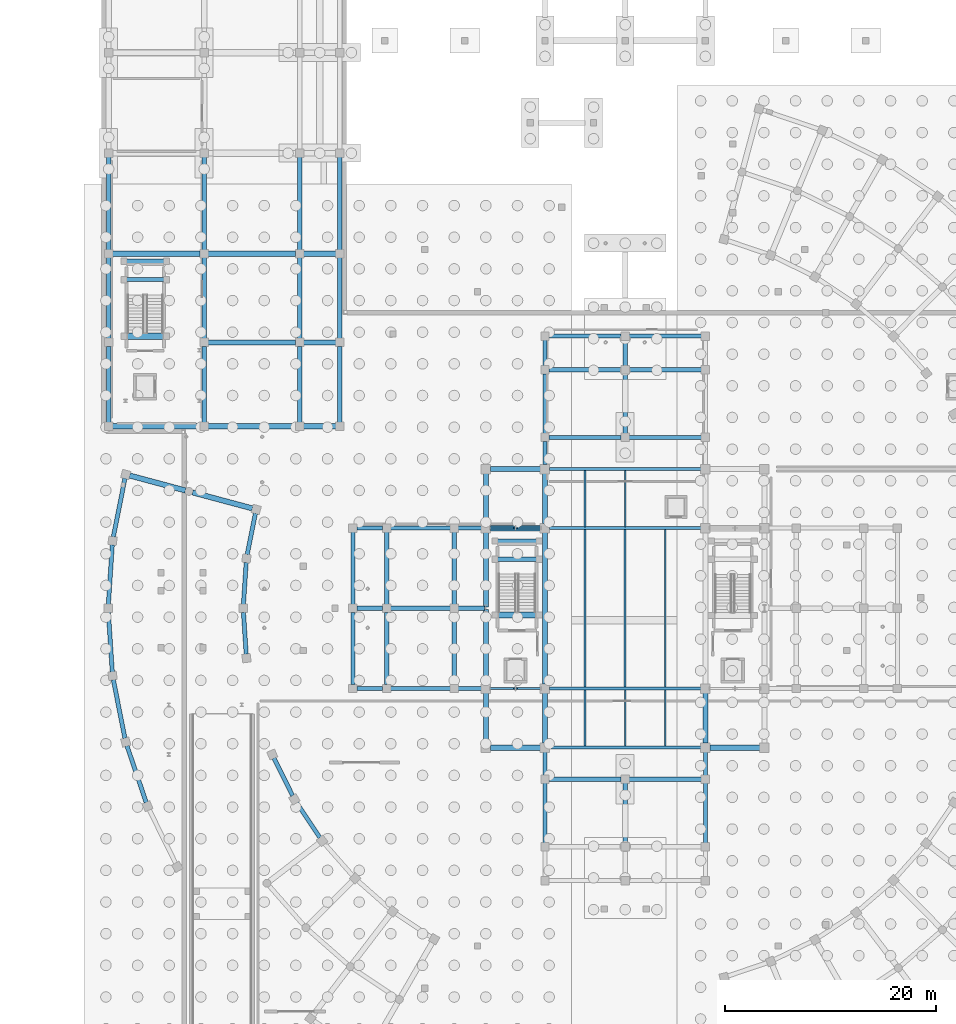
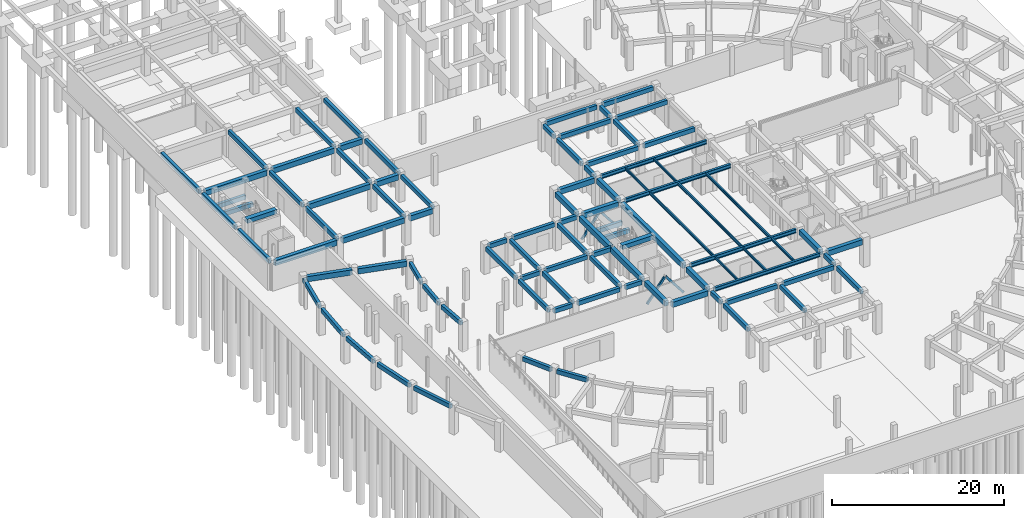
# One storey, part 19 of 33: 95 beams, 4 members.
"""IFC4 building model written with IfcOpenShell, lengths in metres."""

from ifc_helpers import new_model, si_unit, direction, frame, origin, origin_2d, place, context, subcontext, project, spatial, rectangle, hollow_rectangle, i_section, extrude, material, material_profile, profile_set, type_object, element, save


model = new_model("IFC4")

# Units and contexts
model_context = context("Model", 3, precision=1e-05, world=origin(), true_north=direction((0.0, 1.0)))
body_context = subcontext(model_context, "Body", "Model", "MODEL_VIEW")
ifc_project = project(units=[si_unit("LENGTHUNIT", "METRE"), si_unit("AREAUNIT", "SQUARE_METRE"), si_unit("VOLUMEUNIT", "CUBIC_METRE"), si_unit("PLANEANGLEUNIT", "RADIAN"), si_unit("MASSUNIT", "GRAM", prefix="KILO")], contexts=[model_context])

# Site, building, storey
site_placement = place(None, origin())
site = spatial("IfcSite", under=ifc_project, at=site_placement, CompositionType="ELEMENT")
building_placement = place(site_placement, origin())
building = spatial("IfcBuilding", under=site, at=building_placement, Name="Saryqyr Civic Hall", CompositionType="ELEMENT")
storey_placement = place(building_placement, frame((0.0, 0.0, -4.199951171875)))
storey = spatial("IfcBuildingStorey", under=building, at=storey_placement, Name="B1", CompositionType="ELEMENT", Elevation=-4.199951171875)

# Beams
ifc_material_1 = material(Name="Steel S355", Category="steel")
ifc_material_profile_1 = material_profile(ifc_material_1, i_section(OverallWidth=0.300048828125, OverallDepth=0.550048828125, WebThickness=0.014892578125, FlangeThickness=0.029052734375, at=origin_2d()), Name="HEB 550")
ifc_profile_set_1 = profile_set([ifc_material_profile_1], Name="Steel S355")
beam_type_1 = type_object("IfcBeamType", Name="STR-BM-HEB550", PredefinedType="BEAM", material=ifc_profile_set_1)
for number, where, z_axis, x_axis, name in (
    (1, (49.824951171875, 70.800048828125, 3.60498046875), (1.0, 0.0, 0.0), (0.0, 1.0, 0.0), "Beam V1-GBM-EW1-B1"),
    (2, (49.824951171875, 76.39990234375, 3.60498046875), (1.0, 0.0, 0.0), (0.0, 1.0, 0.0), "Beam V1-GBM-EW2-B1"),
    (3, (49.824951171875, 91.60009765625, 3.60498046875), (1.0, 0.0, 0.0), (0.0, 1.0, 0.0), "Beam V1-GBM-EW3-B1"),
    (4, (49.824951171875, 97.199951171875, 3.60498046875), (1.0, 0.0, 0.0), (0.0, 1.0, 0.0), "Beam V1-GBM-EW4-B1"),
):
    element("IfcBeam", number, at=place(storey_placement, frame(where, z_axis=z_axis, x_axis=x_axis)), inside=storey, type_object=beam_type_1, Name=name, PredefinedType="BEAM", context=body_context, shape_type="SweptSolid", body=[
        extrude(i_section(OverallWidth=0.300048828125, OverallDepth=0.550048828125, WebThickness=0.014892578125, FlangeThickness=0.029052734375, at=origin_2d()), origin(), (0.0, 0.0, 1.0), 14.35009765625),
    ])
ifc_material_2 = material(Name="Concrete C35/45", Category="concrete")
ifc_material_profile_2 = material_profile(ifc_material_2, rectangle(XDim=0.39990234375, YDim=0.60009765625, at=origin_2d()), Name="RC 400x600")
ifc_profile_set_2 = profile_set([ifc_material_profile_2], Name="Concrete C35/45")
beam_type_2 = type_object("IfcBeamType", Name="STR-BM-RC400x600", PredefinedType="BEAM", material=ifc_profile_set_2)
for number, where, z_axis, x_axis, name in (
    (5, (31.574951171875, 76.39990234375, 3.579833984375), (1.0, 0.0, 0.0), (0.0, 1.0, 0.0), "Beam V1-TBM-01-B1"),
    (6, (31.574951171875, 84.0, 3.579833984375), (1.0, 0.0, 0.0), (0.0, 1.0, 0.0), "Beam V1-TBM-02-B1"),
    (7, (31.574951171875, 91.60009765625, 3.579833984375), (1.0, 0.0, 0.0), (0.0, 1.0, 0.0), "Beam V1-TBM-03-B1"),
    (8, (49.39990234375, 106.97509765625, 3.579833984375), (0.0, 1.0, 0.0), (-1.0, 0.0, 0.0), "Beam V1-TBM-10-B1"),
    (9, (57.0, 106.97509765625, 3.579833984375), (0.0, 1.0, 0.0), (-1.0, 0.0, 0.0), "Beam V1-TBM-11-B1"),
):
    element("IfcBeam", number, at=place(storey_placement, frame(where, z_axis=z_axis, x_axis=x_axis)), inside=storey, type_object=beam_type_2, Name=name, PredefinedType="BEAM", context=body_context, shape_type="SweptSolid", body=[
        extrude(rectangle(XDim=0.39990234375, YDim=0.60009765625, at=origin_2d()), origin(), (0.0, 0.0, 1.0), 2.449951171875),
    ])
for number, where, z_axis, x_axis, name in (
    (10, (31.199951171875, 76.77490234375, 3.579833984375), (0.0, 1.0, 0.0), (-1.0, 0.0, 0.0), "Beam V1-TBM-13-B1"),
    (11, (31.199951171875, 84.375, 3.579833984375), (0.0, 1.0, 0.0), (-1.0, 0.0, 0.0), "Beam V1-TBM-14-B1"),
    (12, (49.77490234375, 109.800048828125, 3.579833984375), (1.0, 0.0, 0.0), (0.0, 1.0, 0.0), "Beam V1-TBM-19-B1"),
    (13, (57.375, 109.800048828125, 3.579833984375), (1.0, 0.0, 0.0), (0.0, 1.0, 0.0), "Beam V1-TBM-20-B1"),
):
    element("IfcBeam", number, at=place(storey_placement, frame(where, z_axis=z_axis, x_axis=x_axis)), inside=storey, type_object=beam_type_2, Name=name, PredefinedType="BEAM", context=body_context, shape_type="SweptSolid", body=[
        extrude(rectangle(XDim=0.39990234375, YDim=0.60009765625, at=origin_2d()), origin(), (0.0, 0.0, 1.0), 6.85009765625),
    ])
for number, where, z_axis, x_axis, name in (
    (14, (34.77490234375, 76.39990234375, 3.579833984375), (1.0, 0.0, 0.0), (0.0, 1.0, 0.0), "Beam V1-TBM-21-B1"),
    (15, (34.77490234375, 84.0, 3.579833984375), (1.0, 0.0, 0.0), (0.0, 1.0, 0.0), "Beam V1-TBM-22-B1"),
    (16, (34.77490234375, 91.60009765625, 3.579833984375), (1.0, 0.0, 0.0), (0.0, 1.0, 0.0), "Beam V1-TBM-23-B1"),
    (17, (49.39990234375, 61.77490234375, 3.579833984375), (0.0, 1.0, 0.0), (-1.0, 0.0, 0.0), "Beam V1-TBM-27-B1"),
    (18, (57.0, 61.77490234375, 3.579833984375), (0.0, 1.0, 0.0), (-1.0, 0.0, 0.0), "Beam V1-TBM-28-B1"),
    (19, (64.60009765625, 61.77490234375, 3.579833984375), (0.0, 1.0, 0.0), (-1.0, 0.0, 0.0), "Beam V1-TBM-29-B1"),
    (20, (49.39990234375, 100.574951171875, 3.579833984375), (0.0, 1.0, 0.0), (-1.0, 0.0, 0.0), "Beam V1-TBM-30-B1"),
    (21, (57.0, 100.574951171875, 3.579833984375), (0.0, 1.0, 0.0), (-1.0, 0.0, 0.0), "Beam V1-TBM-31-B1"),
):
    element("IfcBeam", number, at=place(storey_placement, frame(where, z_axis=z_axis, x_axis=x_axis)), inside=storey, type_object=beam_type_2, Name=name, PredefinedType="BEAM", context=body_context, shape_type="SweptSolid", body=[
        extrude(rectangle(XDim=0.39990234375, YDim=0.60009765625, at=origin_2d()), origin(), (0.0, 0.0, 1.0), 5.650146484375),
    ])
for number, where, z_axis, x_axis, name in (
    (22, (34.39990234375, 76.77490234375, 3.579833984375), (0.0, 1.0, 0.0), (-1.0, 0.0, 0.0), "Beam V1-TBM-33-B1"),
    (23, (34.39990234375, 84.375, 3.579833984375), (0.0, 1.0, 0.0), (-1.0, 0.0, 0.0), "Beam V1-TBM-34-B1"),
    (24, (49.77490234375, 106.60009765625, 3.579833984375), (1.0, 0.0, 0.0), (0.0, 1.0, 0.0), "Beam V1-TBM-39-B1"),
    (25, (57.375, 106.60009765625, 3.579833984375), (1.0, 0.0, 0.0), (0.0, 1.0, 0.0), "Beam V1-TBM-40-B1"),
):
    element("IfcBeam", number, at=place(storey_placement, frame(where, z_axis=z_axis, x_axis=x_axis)), inside=storey, type_object=beam_type_2, Name=name, PredefinedType="BEAM", context=body_context, shape_type="SweptSolid", body=[
        extrude(rectangle(XDim=0.39990234375, YDim=0.60009765625, at=origin_2d()), origin(), (0.0, 0.0, 1.0), 6.85009765625),
    ])
beam_1_placement = place(storey_placement, frame((41.175048828125, 76.39990234375, 3.579833984375), z_axis=(1.0, 0.0, 0.0), x_axis=(0.0, 1.0, 0.0)))
element("IfcBeam", 26, at=beam_1_placement, inside=storey, type_object=beam_type_2, Name="Beam V1-TBM-41-B1", PredefinedType="BEAM", context=body_context, shape_type="SweptSolid", body=[
    extrude(rectangle(XDim=0.39990234375, YDim=0.60009765625, at=origin_2d()), origin(), (0.0, 0.0, 1.0), 2.199951171875),
])
beam_2_placement = place(storey_placement, frame((41.175048828125, 84.0, 3.579833984375), z_axis=(1.0, 0.0, 0.0), x_axis=(0.0, 1.0, 0.0)))
element("IfcBeam", 27, at=beam_2_placement, inside=storey, type_object=beam_type_2, Name="Beam V1-TBM-42-B1", PredefinedType="BEAM", context=body_context, shape_type="SweptSolid", body=[
    extrude(rectangle(XDim=0.39990234375, YDim=0.60009765625, at=origin_2d()), origin(), (0.0, 0.0, 1.0), 2.5),
])
for number, where, z_axis, x_axis, name in (
    (28, (41.175048828125, 91.60009765625, 3.579833984375), (1.0, 0.0, 0.0), (0.0, 1.0, 0.0), "Beam V1-TBM-43-B1"),
    (29, (49.39990234375, 68.175048828125, 3.579833984375), (0.0, 1.0, 0.0), (-1.0, 0.0, 0.0), "Beam V1-TBM-47-B1"),
    (30, (64.60009765625, 68.175048828125, 3.579833984375), (0.0, 1.0, 0.0), (-1.0, 0.0, 0.0), "Beam V1-TBM-48-B1"),
    (31, (49.39990234375, 97.625, 3.579833984375), (0.0, 1.0, 0.0), (-1.0, 0.0, 0.0), "Beam V1-TBM-49-B1"),
):
    element("IfcBeam", number, at=place(storey_placement, frame(where, z_axis=z_axis, x_axis=x_axis)), inside=storey, type_object=beam_type_2, Name=name, PredefinedType="BEAM", context=body_context, shape_type="SweptSolid", body=[
        extrude(rectangle(XDim=0.39990234375, YDim=0.60009765625, at=origin_2d()), origin(), (0.0, 0.0, 1.0), 2.199951171875),
    ])
for number, where, z_axis, x_axis, name in (
    (32, (40.800048828125, 76.77490234375, 3.579833984375), (0.0, 1.0, 0.0), (-1.0, 0.0, 0.0), "Beam V1-TBM-51-B1"),
    (33, (40.800048828125, 84.375, 3.579833984375), (0.0, 1.0, 0.0), (-1.0, 0.0, 0.0), "Beam V1-TBM-52-B1"),
    (34, (49.77490234375, 67.800048828125, 3.579833984375), (1.0, 0.0, 0.0), (0.0, 1.0, 0.0), "Beam V1-TBM-55-B1"),
    (35, (57.375, 67.800048828125, 3.579833984375), (1.0, 0.0, 0.0), (0.0, 1.0, 0.0), "Beam V1-TBM-56-B1"),
    (36, (49.77490234375, 100.199951171875, 3.579833984375), (1.0, 0.0, 0.0), (0.0, 1.0, 0.0), "Beam V1-TBM-57-B1"),
    (37, (57.375, 100.199951171875, 3.579833984375), (1.0, 0.0, 0.0), (0.0, 1.0, 0.0), "Beam V1-TBM-58-B1"),
):
    element("IfcBeam", number, at=place(storey_placement, frame(where, z_axis=z_axis, x_axis=x_axis)), inside=storey, type_object=beam_type_2, Name=name, PredefinedType="BEAM", context=body_context, shape_type="SweptSolid", body=[
        extrude(rectangle(XDim=0.39990234375, YDim=0.60009765625, at=origin_2d()), origin(), (0.0, 0.0, 1.0), 6.85009765625),
    ])
beam_3_placement = place(storey_placement, frame((8.050048828125, 101.625, 3.579833984375), z_axis=(0.0, 1.0, 0.0), x_axis=(-1.0, 0.0, 0.0)))
element("IfcBeam", 38, at=beam_3_placement, inside=storey, type_object=beam_type_2, Name="Beam V3-BM-NS-1-1-B1", PredefinedType="BEAM", context=body_context, shape_type="SweptSolid", body=[
    extrude(rectangle(XDim=0.39990234375, YDim=0.60009765625, at=origin_2d()), origin(), (0.0, 0.0, 1.0), 7.199951171875),
])
beam_4_placement = place(storey_placement, frame((8.050048828125, 109.574951171875, 3.579833984375), z_axis=(0.0, 1.0, 0.0), x_axis=(-1.0, 0.0, 0.0)))
element("IfcBeam", 39, at=beam_4_placement, inside=storey, type_object=beam_type_2, Name="Beam V3-BM-NS-1-2-B1", PredefinedType="BEAM", context=body_context, shape_type="SweptSolid", body=[
    extrude(rectangle(XDim=0.39990234375, YDim=0.60009765625, at=origin_2d()), origin(), (0.0, 0.0, 1.0), 7.650146484375),
])
beam_5_placement = place(storey_placement, frame((8.050048828125, 117.97509765625, 3.579833984375), z_axis=(0.0, 1.0, 0.0), x_axis=(-1.0, 0.0, 0.0)))
element("IfcBeam", 40, at=beam_5_placement, inside=storey, type_object=beam_type_2, Name="Beam V3-BM-NS-1-3-B1", PredefinedType="BEAM", context=body_context, shape_type="SweptSolid", body=[
    extrude(rectangle(XDim=0.39990234375, YDim=0.60009765625, at=origin_2d()), origin(), (0.0, 0.0, 1.0), 8.77978515625),
])
beam_6_placement = place(storey_placement, frame((17.10009765625, 101.625, 3.579833984375), z_axis=(0.0, 1.0, 0.0), x_axis=(-1.0, 0.0, 0.0)))
element("IfcBeam", 41, at=beam_6_placement, inside=storey, type_object=beam_type_2, Name="Beam V3-BM-NS-2-1-B1", PredefinedType="BEAM", context=body_context, shape_type="SweptSolid", body=[
    extrude(rectangle(XDim=0.39990234375, YDim=0.60009765625, at=origin_2d()), origin(), (0.0, 0.0, 1.0), 7.199951171875),
])
beam_7_placement = place(storey_placement, frame((17.10009765625, 109.574951171875, 3.579833984375), z_axis=(0.0, 1.0, 0.0), x_axis=(-1.0, 0.0, 0.0)))
element("IfcBeam", 42, at=beam_7_placement, inside=storey, type_object=beam_type_2, Name="Beam V3-BM-NS-2-2-B1", PredefinedType="BEAM", context=body_context, shape_type="SweptSolid", body=[
    extrude(rectangle(XDim=0.39990234375, YDim=0.60009765625, at=origin_2d()), origin(), (0.0, 0.0, 1.0), 7.650146484375),
])
beam_8_placement = place(storey_placement, frame((17.10009765625, 117.97509765625, 3.579833984375), z_axis=(0.0, 1.0, 0.0), x_axis=(-1.0, 0.0, 0.0)))
element("IfcBeam", 43, at=beam_8_placement, inside=storey, type_object=beam_type_2, Name="Beam V3-BM-NS-2-3-B1", PredefinedType="BEAM", context=body_context, shape_type="SweptSolid", body=[
    extrude(rectangle(XDim=0.39990234375, YDim=0.60009765625, at=origin_2d()), origin(), (0.0, 0.0, 1.0), 8.77978515625),
])
beam_9_placement = place(storey_placement, frame((26.14990234375, 101.625, 3.579833984375), z_axis=(0.0, 1.0, 0.0), x_axis=(-1.0, 0.0, 0.0)))
element("IfcBeam", 44, at=beam_9_placement, inside=storey, type_object=beam_type_2, Name="Beam V3-BM-NS-3-1-B1", PredefinedType="BEAM", context=body_context, shape_type="SweptSolid", body=[
    extrude(rectangle(XDim=0.39990234375, YDim=0.60009765625, at=origin_2d()), origin(), (0.0, 0.0, 1.0), 7.199951171875),
])
beam_10_placement = place(storey_placement, frame((26.14990234375, 109.574951171875, 3.579833984375), z_axis=(0.0, 1.0, 0.0), x_axis=(-1.0, 0.0, 0.0)))
element("IfcBeam", 45, at=beam_10_placement, inside=storey, type_object=beam_type_2, Name="Beam V3-BM-NS-3-2-B1", PredefinedType="BEAM", context=body_context, shape_type="SweptSolid", body=[
    extrude(rectangle(XDim=0.39990234375, YDim=0.60009765625, at=origin_2d()), origin(), (0.0, 0.0, 1.0), 7.650146484375),
])
beam_11_placement = place(storey_placement, frame((26.14990234375, 117.97509765625, 3.579833984375), z_axis=(0.0, 1.0, 0.0), x_axis=(-1.0, 0.0, 0.0)))
element("IfcBeam", 46, at=beam_11_placement, inside=storey, type_object=beam_type_2, Name="Beam V3-BM-NS-3-3-B1", PredefinedType="BEAM", context=body_context, shape_type="SweptSolid", body=[
    extrude(rectangle(XDim=0.39990234375, YDim=0.60009765625, at=origin_2d()), origin(), (0.0, 0.0, 1.0), 8.77978515625),
])
beam_12_placement = place(storey_placement, frame((29.949951171875, 101.625, 3.579833984375), z_axis=(0.0, 1.0, 0.0), x_axis=(-1.0, 0.0, 0.0)))
element("IfcBeam", 47, at=beam_12_placement, inside=storey, type_object=beam_type_2, Name="Beam V3-BM-NS-4-1-B1", PredefinedType="BEAM", context=body_context, shape_type="SweptSolid", body=[
    extrude(rectangle(XDim=0.39990234375, YDim=0.60009765625, at=origin_2d()), origin(), (0.0, 0.0, 1.0), 7.199951171875),
])
beam_13_placement = place(storey_placement, frame((29.949951171875, 109.574951171875, 3.579833984375), z_axis=(0.0, 1.0, 0.0), x_axis=(-1.0, 0.0, 0.0)))
element("IfcBeam", 48, at=beam_13_placement, inside=storey, type_object=beam_type_2, Name="Beam V3-BM-NS-4-2-B1", PredefinedType="BEAM", context=body_context, shape_type="SweptSolid", body=[
    extrude(rectangle(XDim=0.39990234375, YDim=0.60009765625, at=origin_2d()), origin(), (0.0, 0.0, 1.0), 7.650146484375),
])
beam_14_placement = place(storey_placement, frame((29.949951171875, 117.97509765625, 3.579833984375), z_axis=(0.0, 1.0, 0.0), x_axis=(-1.0, 0.0, 0.0)))
element("IfcBeam", 49, at=beam_14_placement, inside=storey, type_object=beam_type_2, Name="Beam V3-BM-NS-4-3-B1", PredefinedType="BEAM", context=body_context, shape_type="SweptSolid", body=[
    extrude(rectangle(XDim=0.39990234375, YDim=0.60009765625, at=origin_2d()), origin(), (0.0, 0.0, 1.0), 8.77978515625),
])
for number, where, z_axis, x_axis, name in (
    (50, (48.800048828125, 88.64990234375, 1.599853515625), (-1.0, 0.0, 0.0), (0.0, -1.0, 0.0), "Stair half-landing support beam ST-1-LND1-B1"),
    (51, (48.800048828125, 90.3798828125, 1.599853515625), (-1.0, 0.0, 0.0), (0.0, -1.0, 0.0), "Stair half-landing support beam ST-1-LND2-B1"),
):
    element("IfcBeam", number, at=place(storey_placement, frame(where, z_axis=z_axis, x_axis=x_axis)), inside=storey, type_object=beam_type_2, Name=name, PredefinedType="BEAM", context=body_context, shape_type="SweptSolid", body=[
        extrude(rectangle(XDim=0.39990234375, YDim=0.60009765625, at=origin_2d()), origin(), (0.0, 0.0, 1.0), 4.10009765625),
    ])
for number, where, z_axis, x_axis, name in (
    (52, (13.5, 115.14990234375, 1.599853515625), (-1.0, 0.0, 0.0), (0.0, -1.0, 0.0), "Stair half-landing support beam ST-3-LND1-B1"),
    (53, (13.5, 116.8798828125, 1.599853515625), (-1.0, 0.0, 0.0), (0.0, -1.0, 0.0), "Stair half-landing support beam ST-3-LND2-B1"),
):
    element("IfcBeam", number, at=place(storey_placement, frame(where, z_axis=z_axis, x_axis=x_axis)), inside=storey, type_object=beam_type_2, Name=name, PredefinedType="BEAM", context=body_context, shape_type="SweptSolid", body=[
        extrude(rectangle(XDim=0.39990234375, YDim=0.60009765625, at=origin_2d()), origin(), (0.0, 0.0, 1.0), 3.9599609375),
    ])
ifc_material_profile_3 = material_profile(ifc_material_2, rectangle(XDim=0.39990234375, YDim=0.60009765625, at=origin_2d()), Name="RC 400x600")
ifc_profile_set_3 = profile_set([ifc_material_profile_3], Name="Concrete C35/45")
beam_type_3 = type_object("IfcBeamType", Name="STR-BM-RC400x600-EXT", PredefinedType="BEAM", material=ifc_profile_set_3)
beam_15_placement = place(storey_placement, frame((21.960205078125, 93.00146484375, 3.579833984375), z_axis=(-0.195055730113, -0.980792160526, 0.0), x_axis=(0.980792160526, -0.195055730113, 0.0)))
element("IfcBeam", 54, at=beam_15_placement, inside=storey, type_object=beam_type_3, Name="Beam V4-CBM-IN00-B1", PredefinedType="BEAM", context=body_context, shape_type="SweptSolid", body=[
    extrude(rectangle(XDim=0.39990234375, YDim=0.60009765625, at=origin_2d()), origin(), (0.0, 0.0, 1.0), 3.9853515625),
])
beam_16_placement = place(storey_placement, frame((9.596435546875, 96.314208984375, 3.579833984375), z_axis=(-0.195079006627, -0.980787531106, 0.0), x_axis=(0.980787531106, -0.195079006627, 0.0)))
element("IfcBeam", 55, at=beam_16_placement, inside=storey, type_object=beam_type_3, Name="Beam V4-CBM-OUT00-B1", PredefinedType="BEAM", context=body_context, shape_type="SweptSolid", body=[
    extrude(rectangle(XDim=0.39990234375, YDim=0.60009765625, at=origin_2d()), origin(), (0.0, 0.0, 1.0), 5.6591796875),
])
beam_17_placement = place(storey_placement, frame((21.085205078125, 88.350830078125, 3.579833984375), z_axis=(-0.065429242492, -0.997857211342, 0.0), x_axis=(0.997857211342, -0.065429242492, 0.0)))
element("IfcBeam", 56, at=beam_17_placement, inside=storey, type_object=beam_type_3, Name="Beam V4-CBM-IN01-B1", PredefinedType="BEAM", context=body_context, shape_type="SweptSolid", body=[
    extrude(rectangle(XDim=0.39990234375, YDim=0.60009765625, at=origin_2d()), origin(), (0.0, 0.0, 1.0), 3.985107421875),
])
beam_18_placement = place(storey_placement, frame((8.394775390625, 90.021484375, 3.579833984375), z_axis=(-0.065442396828, -0.997856348728, 0.0), x_axis=(0.997856348728, -0.065442396828, 0.0)))
element("IfcBeam", 57, at=beam_18_placement, inside=storey, type_object=beam_type_3, Name="Beam V4-CBM-OUT01-B1", PredefinedType="BEAM", context=body_context, shape_type="SweptSolid", body=[
    extrude(rectangle(XDim=0.39990234375, YDim=0.60009765625, at=origin_2d()), origin(), (0.0, 0.0, 1.0), 5.659423828125),
])
beam_19_placement = place(storey_placement, frame((20.824462890625, 83.625732421875, 3.579833984375), z_axis=(0.065429242492, -0.997857211342, 0.0), x_axis=(0.997857211342, 0.065429242492, 0.0)))
element("IfcBeam", 58, at=beam_19_placement, inside=storey, type_object=beam_type_3, Name="Beam V4-CBM-IN02-B1", PredefinedType="BEAM", context=body_context, shape_type="SweptSolid", body=[
    extrude(rectangle(XDim=0.39990234375, YDim=0.60009765625, at=origin_2d()), origin(), (0.0, 0.0, 1.0), 3.985107421875),
])
beam_20_placement = place(storey_placement, frame((8.0244140625, 83.625732421875, 3.579833984375), z_axis=(0.065442396828, -0.997856348728, 0.0), x_axis=(0.997856348728, 0.065442396828, 0.0)))
element("IfcBeam", 59, at=beam_20_placement, inside=storey, type_object=beam_type_3, Name="Beam V4-CBM-OUT02-B1", PredefinedType="BEAM", context=body_context, shape_type="SweptSolid", body=[
    extrude(rectangle(XDim=0.39990234375, YDim=0.60009765625, at=origin_2d()), origin(), (0.0, 0.0, 1.0), 5.659423828125),
])
beam_21_placement = place(storey_placement, frame((8.492431640625, 77.236328125, 3.579833984375), z_axis=(0.195079006627, -0.980787531106, 0.0), x_axis=(0.980787531106, 0.195079006627, 0.0)))
element("IfcBeam", 60, at=beam_21_placement, inside=storey, type_object=beam_type_3, Name="Beam V4-CBM-OUT03-B1", PredefinedType="BEAM", context=body_context, shape_type="SweptSolid", body=[
    extrude(rectangle(XDim=0.39990234375, YDim=0.60009765625, at=origin_2d()), origin(), (0.0, 0.0, 1.0), 5.6591796875),
])
beam_22_placement = place(storey_placement, frame((9.7900390625, 70.962890625, 3.579833984375), z_axis=(0.321451073283, -0.946926189038, 0.0), x_axis=(0.946926189038, 0.321451073283, 0.0)))
element("IfcBeam", 61, at=beam_22_placement, inside=storey, type_object=beam_type_3, Name="Beam V4-CBM-OUT04-B1", PredefinedType="BEAM", context=body_context, shape_type="SweptSolid", body=[
    extrude(rectangle(XDim=0.39990234375, YDim=0.60009765625, at=origin_2d()), origin(), (0.0, 0.0, 1.0), 5.65966796875),
])
for number, where, z_axis, x_axis, name in (
    (62, (23.721435546875, 69.810546875, 3.579833984375), (0.442256706249, -0.896888513572, 0.0), (0.896888513572, 0.442256706249, 0.0), "Beam V4-CBM-IN05-B1"),
    (63, (25.858154296875, 65.588134765625, 3.579833984375), (0.555590542414, -0.831456041641, 0.0), (0.831456041641, 0.555590542414, 0.0), "Beam V4-CBM-IN06-B1"),
):
    element("IfcBeam", number, at=place(storey_placement, frame(where, z_axis=z_axis, x_axis=x_axis)), inside=storey, type_object=beam_type_3, Name=name, PredefinedType="BEAM", context=body_context, shape_type="SweptSolid", body=[
        extrude(rectangle(XDim=0.39990234375, YDim=0.60009765625, at=origin_2d()), origin(), (0.0, 0.0, 1.0), 3.985107421875),
    ])
ifc_material_3 = material(Name="Concrete C40/50", Category="concrete")
ifc_material_profile_4 = material_profile(ifc_material_3, rectangle(XDim=0.5, YDim=0.75, at=origin_2d()), Name="RC 500x750")
ifc_profile_set_4 = profile_set([ifc_material_profile_4], Name="Concrete C40/50")
beam_type_4 = type_object("IfcBeamType", Name="STR-BM-RC500x750", PredefinedType="BEAM", material=ifc_profile_set_4)
for number, where, z_axis, x_axis, name in (
    (64, (44.22509765625, 70.800048828125, 3.5048828125), (1.0, 0.0, 0.0), (0.0, 1.0, 0.0), "Beam V1-WBM-W1-B1"),
    (65, (65.02490234375, 70.800048828125, 3.5048828125), (1.0, 0.0, 0.0), (0.0, 1.0, 0.0), "Beam V1-WBM-E1-B1"),
    (66, (44.22509765625, 91.60009765625, 3.5048828125), (1.0, 0.0, 0.0), (0.0, 1.0, 0.0), "Beam V1-WBM-W3-B1"),
    (67, (44.22509765625, 97.199951171875, 3.5048828125), (1.0, 0.0, 0.0), (0.0, 1.0, 0.0), "Beam V1-WBM-W4-B1"),
    (68, (43.800048828125, 71.22509765625, 3.5048828125), (0.0, 1.0, 0.0), (-1.0, 0.0, 0.0), "Beam V1-BM-NS11-B1"),
):
    element("IfcBeam", number, at=place(storey_placement, frame(where, z_axis=z_axis, x_axis=x_axis)), inside=storey, type_object=beam_type_4, Name=name, PredefinedType="BEAM", context=body_context, shape_type="SweptSolid", body=[
        extrude(rectangle(XDim=0.5, YDim=0.75, at=origin_2d()), origin(), (0.0, 0.0, 1.0), 4.75),
    ])
for number, where, z_axis, x_axis, name in (
    (69, (43.800048828125, 76.824951171875, 3.5048828125), (0.0, 1.0, 0.0), (-1.0, 0.0, 0.0), "Beam V1-BM-NS1A-B1"),
    (70, (43.800048828125, 84.125, 3.5048828125), (0.0, 1.0, 0.0), (-1.0, 0.0, 0.0), "Beam V1-BM-NS1B-B1"),
):
    element("IfcBeam", number, at=place(storey_placement, frame(where, z_axis=z_axis, x_axis=x_axis)), inside=storey, type_object=beam_type_4, Name=name, PredefinedType="BEAM", context=body_context, shape_type="SweptSolid", body=[
        extrude(rectangle(XDim=0.5, YDim=0.75, at=origin_2d()), origin(), (0.0, 0.0, 1.0), 7.050048828125),
    ])
for number, where, z_axis, x_axis, name in (
    (71, (43.800048828125, 92.02490234375, 3.5048828125), (0.0, 1.0, 0.0), (-1.0, 0.0, 0.0), "Beam V1-BM-NS13-B1"),
    (72, (49.39990234375, 71.22509765625, 3.5048828125), (0.0, 1.0, 0.0), (-1.0, 0.0, 0.0), "Beam V1-BM-NS21-B1"),
):
    element("IfcBeam", number, at=place(storey_placement, frame(where, z_axis=z_axis, x_axis=x_axis)), inside=storey, type_object=beam_type_4, Name=name, PredefinedType="BEAM", context=body_context, shape_type="SweptSolid", body=[
        extrude(rectangle(XDim=0.5, YDim=0.75, at=origin_2d()), origin(), (0.0, 0.0, 1.0), 4.75),
    ])
beam_23_placement = place(storey_placement, frame((49.39990234375, 76.824951171875, 3.5048828125), z_axis=(0.0, 1.0, 0.0), x_axis=(-1.0, 0.0, 0.0)))
element("IfcBeam", 73, at=beam_23_placement, inside=storey, type_object=beam_type_4, Name="Beam V1-BM-NS22-B1", PredefinedType="BEAM", context=body_context, shape_type="SweptSolid", body=[
    extrude(rectangle(XDim=0.5, YDim=0.75, at=origin_2d()), origin(), (0.0, 0.0, 1.0), 14.35009765625),
])
for number, where, z_axis, x_axis, name in (
    (74, (49.39990234375, 92.02490234375, 3.5048828125), (0.0, 1.0, 0.0), (-1.0, 0.0, 0.0), "Beam V1-BM-NS23-B1"),
    (75, (64.60009765625, 71.22509765625, 3.5048828125), (0.0, 1.0, 0.0), (-1.0, 0.0, 0.0), "Beam V1-BM-NS31-B1"),
):
    element("IfcBeam", number, at=place(storey_placement, frame(where, z_axis=z_axis, x_axis=x_axis)), inside=storey, type_object=beam_type_4, Name=name, PredefinedType="BEAM", context=body_context, shape_type="SweptSolid", body=[
        extrude(rectangle(XDim=0.5, YDim=0.75, at=origin_2d()), origin(), (0.0, 0.0, 1.0), 4.75),
    ])
beam_24_placement = place(storey_placement, frame((21.67138671875, 93.46630859375, 3.5048828125), z_axis=(-0.965928018634, 0.258810863021, 0.0), x_axis=(-0.258810863021, -0.965928018634, 0.0)))
element("IfcBeam", 76, at=beam_24_placement, inside=storey, type_object=beam_type_4, Name="Beam V4-RBM-A00-B1", PredefinedType="BEAM", context=body_context, shape_type="SweptSolid", body=[
    extrude(rectangle(XDim=0.5, YDim=0.75, at=origin_2d()), origin(), (0.0, 0.0, 1.0), 5.875),
])
beam_25_placement = place(storey_placement, frame((15.3203125, 95.168212890625, 3.5048828125), z_axis=(-0.965940488716, 0.258764317977, 0.0), x_axis=(-0.258764317977, -0.965940488716, 0.0)))
element("IfcBeam", 77, at=beam_25_placement, inside=storey, type_object=beam_type_4, Name="Beam V4-RBM-B00-B1", PredefinedType="BEAM", context=body_context, shape_type="SweptSolid", body=[
    extrude(rectangle(XDim=0.5, YDim=0.75, at=origin_2d()), origin(), (0.0, 0.0, 1.0), 5.47509765625),
])
beam_26_placement = place(storey_placement, frame((8.425048828125, 101.25, 3.5048828125), z_axis=(1.0, 0.0, 0.0), x_axis=(0.0, 1.0, 0.0)))
element("IfcBeam", 78, at=beam_26_placement, inside=storey, type_object=beam_type_4, Name="Beam V3-BM-EW-1-1-B1", PredefinedType="BEAM", context=body_context, shape_type="SweptSolid", body=[
    extrude(rectangle(XDim=0.5, YDim=0.75, at=origin_2d()), origin(), (0.0, 0.0, 1.0), 8.300048828125),
])
beam_27_placement = place(storey_placement, frame((17.47509765625, 101.25, 3.5048828125), z_axis=(1.0, 0.0, 0.0), x_axis=(0.0, 1.0, 0.0)))
element("IfcBeam", 79, at=beam_27_placement, inside=storey, type_object=beam_type_4, Name="Beam V3-BM-EW-1-2-B1", PredefinedType="BEAM", context=body_context, shape_type="SweptSolid", body=[
    extrude(rectangle(XDim=0.5, YDim=0.75, at=origin_2d()), origin(), (0.0, 0.0, 1.0), 8.2998046875),
])
beam_28_placement = place(storey_placement, frame((26.52490234375, 101.25, 3.5048828125), z_axis=(1.0, 0.0, 0.0), x_axis=(0.0, 1.0, 0.0)))
element("IfcBeam", 80, at=beam_28_placement, inside=storey, type_object=beam_type_4, Name="Beam V3-BM-EW-1-3-B1", PredefinedType="BEAM", context=body_context, shape_type="SweptSolid", body=[
    extrude(rectangle(XDim=0.5, YDim=0.75, at=origin_2d()), origin(), (0.0, 0.0, 1.0), 3.050048828125),
])
beam_29_placement = place(storey_placement, frame((17.47509765625, 109.199951171875, 3.5048828125), z_axis=(1.0, 0.0, 0.0), x_axis=(0.0, 1.0, 0.0)))
element("IfcBeam", 81, at=beam_29_placement, inside=storey, type_object=beam_type_4, Name="Beam V3-BM-EW-2-2-B1", PredefinedType="BEAM", context=body_context, shape_type="SweptSolid", body=[
    extrude(rectangle(XDim=0.5, YDim=0.75, at=origin_2d()), origin(), (0.0, 0.0, 1.0), 8.2998046875),
])
beam_30_placement = place(storey_placement, frame((26.52490234375, 109.199951171875, 3.5048828125), z_axis=(1.0, 0.0, 0.0), x_axis=(0.0, 1.0, 0.0)))
element("IfcBeam", 82, at=beam_30_placement, inside=storey, type_object=beam_type_4, Name="Beam V3-BM-EW-2-3-B1", PredefinedType="BEAM", context=body_context, shape_type="SweptSolid", body=[
    extrude(rectangle(XDim=0.5, YDim=0.75, at=origin_2d()), origin(), (0.0, 0.0, 1.0), 3.050048828125),
])
beam_31_placement = place(storey_placement, frame((8.425048828125, 117.60009765625, 3.5048828125), z_axis=(1.0, 0.0, 0.0), x_axis=(0.0, 1.0, 0.0)))
element("IfcBeam", 83, at=beam_31_placement, inside=storey, type_object=beam_type_4, Name="Beam V3-BM-EW-3-1-B1", PredefinedType="BEAM", context=body_context, shape_type="SweptSolid", body=[
    extrude(rectangle(XDim=0.5, YDim=0.75, at=origin_2d()), origin(), (0.0, 0.0, 1.0), 8.300048828125),
])
beam_32_placement = place(storey_placement, frame((17.47509765625, 117.60009765625, 3.5048828125), z_axis=(1.0, 0.0, 0.0), x_axis=(0.0, 1.0, 0.0)))
element("IfcBeam", 84, at=beam_32_placement, inside=storey, type_object=beam_type_4, Name="Beam V3-BM-EW-3-2-B1", PredefinedType="BEAM", context=body_context, shape_type="SweptSolid", body=[
    extrude(rectangle(XDim=0.5, YDim=0.75, at=origin_2d()), origin(), (0.0, 0.0, 1.0), 8.2998046875),
])
beam_33_placement = place(storey_placement, frame((26.52490234375, 117.60009765625, 3.5048828125), z_axis=(1.0, 0.0, 0.0), x_axis=(0.0, 1.0, 0.0)))
element("IfcBeam", 85, at=beam_33_placement, inside=storey, type_object=beam_type_4, Name="Beam V3-BM-EW-3-3-B1", PredefinedType="BEAM", context=body_context, shape_type="SweptSolid", body=[
    extrude(rectangle(XDim=0.5, YDim=0.75, at=origin_2d()), origin(), (0.0, 0.0, 1.0), 3.050048828125),
])
ifc_material_profile_5 = material_profile(ifc_material_3, rectangle(XDim=0.60009765625, YDim=0.60009765625, at=origin_2d()), Name="RC 600x600")
ifc_profile_set_5 = profile_set([ifc_material_profile_5], Name="Concrete C40/50")
beam_type_5 = type_object("IfcBeamType", Name="STR-BM-RC600x600", PredefinedType="BEAM", material=ifc_profile_set_5)
beam_34_placement = place(storey_placement, frame((48.800048828125, 83.364990234375, 3.89990234375), z_axis=(-1.0, 0.0, 0.0), x_axis=(0.0, -1.0, 0.0)))
element("IfcBeam", 86, at=beam_34_placement, inside=storey, type_object=beam_type_5, Name="Stair well trimmer beam ST-1-L00", PredefinedType="BEAM", context=body_context, shape_type="SweptSolid", body=[
    extrude(rectangle(XDim=0.60009765625, YDim=0.60009765625, at=origin_2d()), origin(), (0.0, 0.0, 1.0), 4.10009765625),
])
beam_35_placement = place(storey_placement, frame((13.5, 109.794921875, 3.89990234375), z_axis=(-1.0, 0.0, 0.0), x_axis=(0.0, -1.0, 0.0)))
element("IfcBeam", 87, at=beam_35_placement, inside=storey, type_object=beam_type_5, Name="Stair well trimmer beam ST-3-L00", PredefinedType="BEAM", context=body_context, shape_type="SweptSolid", body=[
    extrude(rectangle(XDim=0.60009765625, YDim=0.60009765625, at=origin_2d()), origin(), (0.0, 0.0, 1.0), 3.9599609375),
])

# Members
ifc_material_profile_6 = material_profile(ifc_material_1, hollow_rectangle(XDim=0.199951171875, YDim=0.300048828125, WallThickness=0.01611328125, at=origin_2d()), Name="RHS 300x200x16")
ifc_profile_set_6 = profile_set([ifc_material_profile_6], Name="Steel S355")
member_type = type_object("IfcMemberType", Name="STR-BR-RHS300", PredefinedType="BRACE", material=ifc_profile_set_6)
for number, where, z_axis, x_axis, name in (
    (88, (44.159912109375, 76.39990234375, 0.119873046875), (0.613233302688, 0.0, 0.789901839771), (0.0, 1.0, 0.0), "Seismic chevron brace 1A B1"),
    (89, (49.0400390625, 76.39990234375, 0.119873046875), (-0.613233302688, 0.0, 0.789901839771), (0.0, -1.0, 0.0), "Seismic chevron brace 1B B1"),
    (90, (44.159912109375, 91.60009765625, 0.119873046875), (0.613233302688, 0.0, 0.789901839771), (0.0, 1.0, 0.0), "Seismic chevron brace 3A B1"),
    (91, (49.0400390625, 91.60009765625, 0.119873046875), (-0.613233302688, 0.0, 0.789901839771), (0.0, -1.0, 0.0), "Seismic chevron brace 3B B1"),
):
    element("IfcMember", number, at=place(storey_placement, frame(where, z_axis=z_axis, x_axis=x_axis)), inside=storey, type_object=member_type, Name=name, PredefinedType="BRACE", context=body_context, shape_type="SweptSolid", body=[
        extrude(hollow_rectangle(XDim=0.199951171875, YDim=0.300048828125, WallThickness=0.01611328125, at=origin_2d()), origin(), (0.0, 0.0, 1.0), 3.8486328125),
    ])

# Beams
ifc_material_profile_7 = material_profile(ifc_material_1, i_section(OverallWidth=0.169921875, OverallDepth=0.360107421875, WebThickness=0.008056640625, FlangeThickness=0.0126953125, at=origin_2d()), Name="IPE 360")
ifc_profile_set_7 = profile_set([ifc_material_profile_7], Name="Steel S355")
beam_type_6 = type_object("IfcBeamType", Name="STR-JST-IPE360", PredefinedType="JOIST", material=ifc_profile_set_7)
for number, where, z_axis, x_axis, name in (
    (92, (53.199951171875, 70.929931640625, 3.699951171875), (0.0, 1.0, 0.0), (-1.0, 0.0, 0.0), "Beam V1-JST-1-1-B1"),
    (93, (53.199951171875, 91.72998046875, 3.699951171875), (0.0, 1.0, 0.0), (-1.0, 0.0, 0.0), "Beam V1-JST-1-3-B1"),
    (94, (57.0, 70.929931640625, 3.699951171875), (0.0, 1.0, 0.0), (-1.0, 0.0, 0.0), "Beam V1-JST-2-1-B1"),
    (95, (57.0, 91.72998046875, 3.699951171875), (0.0, 1.0, 0.0), (-1.0, 0.0, 0.0), "Beam V1-JST-2-3-B1"),
    (96, (60.800048828125, 70.929931640625, 3.699951171875), (0.0, 1.0, 0.0), (-1.0, 0.0, 0.0), "Beam V1-JST-3-1-B1"),
):
    element("IfcBeam", number, at=place(storey_placement, frame(where, z_axis=z_axis, x_axis=x_axis)), inside=storey, type_object=beam_type_6, Name=name, PredefinedType="JOIST", context=body_context, shape_type="SweptSolid", body=[
        extrude(i_section(OverallWidth=0.169921875, OverallDepth=0.360107421875, WebThickness=0.008056640625, FlangeThickness=0.0126953125, at=origin_2d()), origin(), (0.0, 0.0, 1.0), 5.340087890625),
    ])
ifc_material_profile_8 = material_profile(ifc_material_1, i_section(OverallWidth=0.179931640625, OverallDepth=0.39990234375, WebThickness=0.008544921875, FlangeThickness=0.013427734375, at=origin_2d()), Name="IPE 400")
ifc_profile_set_8 = profile_set([ifc_material_profile_8], Name="Steel S355")
beam_type_7 = type_object("IfcBeamType", Name="STR-JST-IPE400", PredefinedType="JOIST", material=ifc_profile_set_8)
for number, where, z_axis, x_axis, name in (
    (97, (53.199951171875, 76.530029296875, 3.679931640625), (0.0, 1.0, 0.0), (-1.0, 0.0, 0.0), "Beam V1-JST-1-2-B1"),
    (98, (57.0, 76.530029296875, 3.679931640625), (0.0, 1.0, 0.0), (-1.0, 0.0, 0.0), "Beam V1-JST-2-2-B1"),
    (99, (60.800048828125, 76.530029296875, 3.679931640625), (0.0, 1.0, 0.0), (-1.0, 0.0, 0.0), "Beam V1-JST-3-2-B1"),
):
    element("IfcBeam", number, at=place(storey_placement, frame(where, z_axis=z_axis, x_axis=x_axis)), inside=storey, type_object=beam_type_7, Name=name, PredefinedType="JOIST", context=body_context, shape_type="SweptSolid", body=[
        extrude(i_section(OverallWidth=0.179931640625, OverallDepth=0.39990234375, WebThickness=0.008544921875, FlangeThickness=0.013427734375, at=origin_2d()), origin(), (0.0, 0.0, 1.0), 14.93994140625),
    ])

save(model, "model.ifc")
